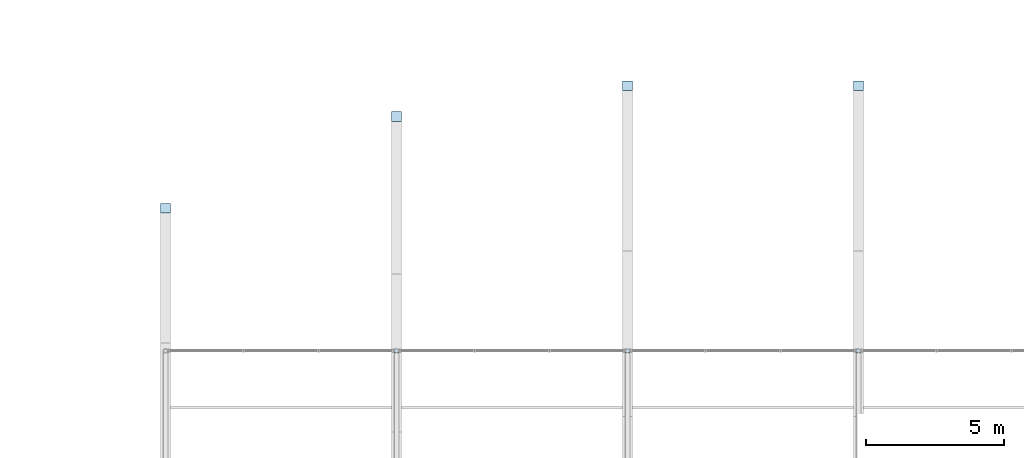
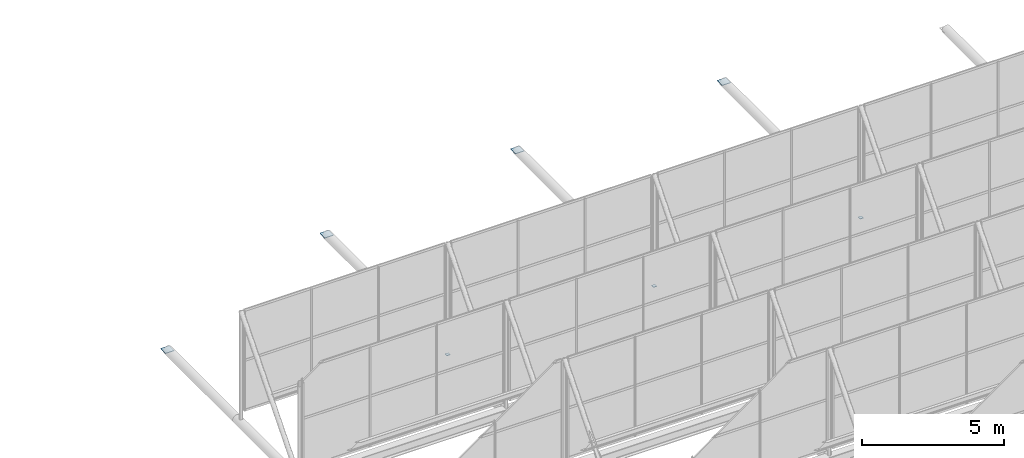
# One storey, part 70 of 77: 7 plates.
"""IFC4 building model written with IfcOpenShell, lengths in metres."""

import ifcopenshell
import ifcopenshell.guid

model = None  # the IFC model being written
_history = None  # IfcOwnerHistory: only IFC2X3 demands one
_inside = {}  # id of a spatial element -> (the spatial element, [elements in it])
_under = {}  # id of a project, library or spatial element -> (it, [spatial elements below it])
_declared = {}  # id of a project -> (the project, [libraries it declares])
_typed = {}  # id of a type object -> (the type object, [elements of that type])
_made_of = {}  # id of a material, layer set ... -> (it, [elements and type objects made of it])


def new_model(schema):
    """Start an empty IFC model of exactly this schema.

    Asked for "IFC4X3", IfcOpenShell would pick the latest addendum, in which some entities
    have other attributes; the version numbers below select the first issue.
    IFC2X3 requires an IfcOwnerHistory on every rooted entity: one is made here for all.
    """
    global model, _history
    if schema == "IFC4X3":
        model = ifcopenshell.file(schema_version=(4, 3, 0, 0))
    else:
        model = ifcopenshell.file(schema=schema)
    _inside.clear()
    _under.clear()
    _declared.clear()
    _typed.clear()
    _made_of.clear()
    _history = None
    if model.schema == "IFC2X3":
        org = make("IfcOrganization", Name="unknown")
        user = make(
            "IfcPersonAndOrganization",
            ThePerson=make("IfcPerson", FamilyName="unknown"),
            TheOrganization=org,
        )
        app = make(
            "IfcApplication",
            ApplicationDeveloper=org,
            Version="unknown",
            ApplicationFullName="unknown",
            ApplicationIdentifier="unknown",
        )
        _history = make(
            "IfcOwnerHistory",
            OwningUser=user,
            OwningApplication=app,
            ChangeAction="ADDED",
            CreationDate=0,
        )
    return model


def make(cls, **values):
    """One entity of the class cls with the attributes given. An attribute that is None is left unset."""
    return model.create_entity(
        cls, **{name: value for name, value in values.items() if value is not None}
    )


def rooted(cls, **values):
    """An entity with a GlobalId (a new one), such as an element, a storey or a relation."""
    return make(cls, GlobalId=ifcopenshell.guid.new(), OwnerHistory=_history, **values)


def si_unit(unit_type, name, prefix=None):
    """IfcSIUnit, for example si_unit("LENGTHUNIT", "METRE", prefix="MILLI")."""
    return make("IfcSIUnit", UnitType=unit_type, Prefix=prefix, Name=name)


def derived_unit(unit_type, elements):
    """IfcDerivedUnit: a product of units, each with its exponent."""
    return make(
        "IfcDerivedUnit",
        Elements=[
            make("IfcDerivedUnitElement", Unit=unit, Exponent=power)
            for unit, power in elements
        ],
        UnitType=unit_type,
    )


def assignment(units):
    """IfcUnitAssignment: the units of a project."""
    return None if units is None else make("IfcUnitAssignment", Units=units)


def point(xyz):
    """IfcCartesianPoint."""
    return None if xyz is None else make("IfcCartesianPoint", Coordinates=xyz)


def direction(xyz):
    """IfcDirection."""
    return None if xyz is None else make("IfcDirection", DirectionRatios=xyz)


def frame(location, z_axis=None, x_axis=None):
    """IfcAxis2Placement3D, a coordinate frame: its origin and axes. An axis left out is left unset."""
    return make(
        "IfcAxis2Placement3D",
        Location=point(location),
        Axis=direction(z_axis),
        RefDirection=direction(x_axis),
    )


def frame_2d(location, x_axis=None):
    """IfcAxis2Placement2D, a coordinate frame in the plane: its origin and x axis."""
    return make(
        "IfcAxis2Placement2D", Location=point(location), RefDirection=direction(x_axis)
    )


def origin():
    """The frame at (0, 0, 0) with its axes left unset."""
    return frame((0.0, 0.0, 0.0))


def origin_2d():
    """The frame at (0, 0) in the plane with its x axis left unset."""
    return frame_2d((0.0, 0.0))


def place(relative_to, where):
    """IfcLocalPlacement: puts the frame where relative to a parent placement (None: the world)."""
    return make(
        "IfcLocalPlacement", PlacementRelTo=relative_to, RelativePlacement=where
    )


def context(
    kind, dimensions, precision=None, world=None, true_north=None, identifier=None
):
    """IfcGeometricRepresentationContext, for example the 3D "Model" context."""
    return make(
        "IfcGeometricRepresentationContext",
        ContextIdentifier=identifier,
        ContextType=kind,
        CoordinateSpaceDimension=dimensions,
        Precision=precision,
        WorldCoordinateSystem=world,
        TrueNorth=true_north,
    )


def subcontext(parent, identifier, kind, view, scale=None):
    """IfcGeometricRepresentationSubContext, for example "Body" below "Model"."""
    return make(
        "IfcGeometricRepresentationSubContext",
        ContextIdentifier=identifier,
        ContextType=kind,
        ParentContext=parent,
        TargetScale=scale,
        TargetView=view,
    )


def project(units=None, contexts=None):
    """IfcProject with its units and contexts."""
    return rooted(
        "IfcProject",
        Name="project",
        RepresentationContexts=contexts,
        UnitsInContext=assignment(units),
    )


def spatial(cls, under=None, at=None, **own):
    """A site, building, storey or space (cls), placed at a placement, below another one or the project."""
    s = rooted(cls, ObjectPlacement=at, **own)
    if under is not None:
        _under.setdefault(under.id(), (under, []))[1].append(s)
    return s


def profile(cls, at=None, kind="AREA", **sizes):
    """A parametric profile (cls). Its sizes go by their IFC names, for example OverallWidth=200.0."""
    return make(cls, ProfileType=kind, Position=at, **sizes)


def rectangle(**sizes):
    """IfcRectangleProfileDef."""
    return profile("IfcRectangleProfileDef", **sizes)


def extrude(swept, where, along, depth):
    """IfcExtrudedAreaSolid: the profile swept, set in the frame where, extruded along a direction by depth."""
    return make(
        "IfcExtrudedAreaSolid",
        SweptArea=swept,
        Position=where,
        ExtrudedDirection=direction(along),
        Depth=depth,
    )


def shape(context_of_items, identifier, shape_type, items):
    """IfcShapeRepresentation: the items that make up one representation, for example the "Body"."""
    return make(
        "IfcShapeRepresentation",
        ContextOfItems=context_of_items,
        RepresentationIdentifier=identifier,
        RepresentationType=shape_type,
        Items=items,
    )


def material(Name=None, Category=None):
    """IfcMaterial."""
    return make("IfcMaterial", Name=Name, Category=Category)


def layer(
    of_material, thickness, ventilated=None, Name=None, Category=None, Priority=None
):
    """IfcMaterialLayer: one layer of a wall or slab, of a material (None: an air gap)."""
    return make(
        "IfcMaterialLayer",
        Material=of_material,
        LayerThickness=thickness,
        IsVentilated=ventilated,
        Name=Name,
        Category=Category,
        Priority=Priority,
    )


def layer_set(layers, Name=None):
    """IfcMaterialLayerSet."""
    return make("IfcMaterialLayerSet", MaterialLayers=layers, LayerSetName=Name)


def made_of(thing, what):
    """Note that an element or type object is made of a material, layer set ...; save() writes the relation."""
    if what is not None:
        _made_of.setdefault(what.id(), (what, []))[1].append(thing)
    return thing


def type_object(cls, material=None, **own):
    """A type object (cls), such as IfcWallType, which elements share."""
    return made_of(rooted(cls, **own), material)


def element(
    cls,
    number,
    at=None,
    inside=None,
    cuts=None,
    type_object=None,
    material=None,
    context=None,
    identifier="Body",
    shape_type=None,
    held_by="IfcProductDefinitionShape",
    body=None,
    shapes=None,
    **own,
):
    """One element of the class cls, such as IfcWall. Its Tag is "e" and its number.

    at: its placement. inside: the storey or other place that contains it. cuts: it is an
    opening in that element (IfcRelVoidsElement). A single representation is given by context,
    identifier, shape_type and body (its items); several are given by shapes. held_by: the class
    of the entity that holds the representations. save() writes the other relations.
    """
    e = rooted(cls, Tag="e%d" % number, ObjectPlacement=at, **own)
    if body is not None:
        shapes = [shape(context, identifier, shape_type, body)]
    if shapes is not None:
        e.Representation = make(held_by, Representations=shapes)
    if inside is not None:
        _inside.setdefault(inside.id(), (inside, []))[1].append(e)
    if cuts is not None:
        rooted(
            "IfcRelVoidsElement", RelatingBuildingElement=cuts, RelatedOpeningElement=e
        )
    if type_object is not None:
        _typed.setdefault(type_object.id(), (type_object, []))[1].append(e)
    return made_of(e, material)


def aggregate(whole, parts):
    """IfcRelAggregates: a whole, such as a stair, and the parts it consists of."""
    return rooted("IfcRelAggregates", RelatingObject=whole, RelatedObjects=parts)


def save(model, path):
    """Write the relations noted so far, then the file.

    IfcRelAggregates (storeys below a building ...), IfcRelContainedInSpatialStructure (elements
    in a storey), IfcRelDefinesByType, IfcRelAssociatesMaterial and IfcRelDeclares: one each for
    every whole, place, type object, material and project.
    """
    for whole, parts in _under.values():
        aggregate(whole, parts)
    for where, things in _inside.values():
        rooted(
            "IfcRelContainedInSpatialStructure",
            RelatedElements=things,
            RelatingStructure=where,
        )
    for kind, things in _typed.values():
        rooted("IfcRelDefinesByType", RelatedObjects=things, RelatingType=kind)
    for what, things in _made_of.values():
        rooted("IfcRelAssociatesMaterial", RelatedObjects=things, RelatingMaterial=what)
    for by, libraries in _declared.values():
        rooted("IfcRelDeclares", RelatingContext=by, RelatedDefinitions=libraries)
    model.write(path)


model = new_model("IFC4")

# Units and contexts
model_context = context("Model", 3, precision=1e-05, world=origin(), true_north=direction((0.0, 1.0)))
body_context = subcontext(model_context, "Body", "Model", "MODEL_VIEW")
ifc_project = project(units=[si_unit("LENGTHUNIT", "METRE"), si_unit("AREAUNIT", "SQUARE_METRE"), si_unit("VOLUMEUNIT", "CUBIC_METRE"), si_unit("PLANEANGLEUNIT", "RADIAN"), si_unit("MASSUNIT", "GRAM", prefix="KILO"), derived_unit("THERMALTRANSMITTANCEUNIT", [(si_unit("MASSUNIT", "GRAM", prefix="KILO"), 1), (si_unit("TIMEUNIT", "SECOND"), -3), (si_unit("THERMODYNAMICTEMPERATUREUNIT", "KELVIN"), -1)])], contexts=[model_context])

# Site, building, storey
site_placement = place(None, origin())
site = spatial("IfcSite", under=ifc_project, at=site_placement, CompositionType="ELEMENT")
building_placement = place(site_placement, origin())
building = spatial("IfcBuilding", under=site, at=building_placement, Name="Kharveza Railside Sports Centre", CompositionType="ELEMENT")
storey_placement = place(building_placement, frame((0.0, 0.0, 17.10009765625)))
storey = spatial("IfcBuildingStorey", under=building, at=storey_placement, Name="L04", CompositionType="ELEMENT", Elevation=17.10009765625)

# Plates
ifc_material = material(Name="Steel S355J2", Category="steel")
ifc_layer_1 = layer(ifc_material, 0.02001953125, Name="Steel S355J2")
ifc_layer_set_1 = layer_set([ifc_layer_1], Name="Steel S355J2")
plate_type_1 = type_object("IfcPlateType", Name="PL-EC02", PredefinedType="USERDEFINED", material=ifc_layer_set_1)
for number, where, z_axis, x_axis, name in (
    (1, (33.60009765625, 69.986572265625, -1.06005859375), (0.0, 0.0, 1.0), (1.0, 0.0, 0.0), "PLT-EC-087"),
    (2, (42.0, 73.3154296875, -1.06005859375), (0.0, 0.0, 1.0), (1.0, 0.0, 0.0), "PLT-EC-089"),
    (3, (50.39990234375, 74.4384765625, -1.06005859375), (0.0, 0.0, 1.0), (1.0, 0.0, 0.0), "PLT-EC-091"),
    (4, (58.800048828125, 74.4384765625, -1.06005859375), (0.0, 0.0, 1.0), (1.0, 0.0, 0.0), "PLT-EC-093"),
):
    element("IfcPlate", number, at=place(storey_placement, frame(where, z_axis=z_axis, x_axis=x_axis)), inside=storey, type_object=plate_type_1, Name=name, ObjectType="END_CAP_PLATE", PredefinedType="USERDEFINED", context=body_context, shape_type="SweptSolid", body=[
        extrude(rectangle(XDim=0.35595703125, YDim=0.35595703125, at=origin_2d()), origin(), (0.0, 0.0, 1.0), 0.02001953125),
    ])
ifc_layer_2 = layer(ifc_material, 0.02001953125, Name="Steel S355J2")
ifc_layer_set_2 = layer_set([ifc_layer_2], Name="Steel S355J2")
plate_type_2 = type_object("IfcPlateType", Name="PL-EC12", PredefinedType="USERDEFINED", material=ifc_layer_set_2)
for number, where, z_axis, x_axis, name in (
    (5, (42.0, 64.800048828125, -1.06005859375), (0.0, 0.0, 1.0), (1.0, 0.0, 0.0), "PLT-EC-105"),
    (6, (50.39990234375, 64.800048828125, -1.06005859375), (0.0, 0.0, 1.0), (1.0, 0.0, 0.0), "PLT-EC-106"),
    (7, (58.800048828125, 64.800048828125, -1.06005859375), (0.0, 0.0, 1.0), (1.0, 0.0, 0.0), "PLT-EC-107"),
):
    element("IfcPlate", number, at=place(storey_placement, frame(where, z_axis=z_axis, x_axis=x_axis)), inside=storey, type_object=plate_type_2, Name=name, ObjectType="END_CAP_PLATE", PredefinedType="USERDEFINED", context=body_context, shape_type="SweptSolid", body=[
        extrude(rectangle(XDim=0.139892578125, YDim=0.139892578125, at=origin_2d()), origin(), (0.0, 0.0, 1.0), 0.02001953125),
    ])

save(model, "model.ifc")
